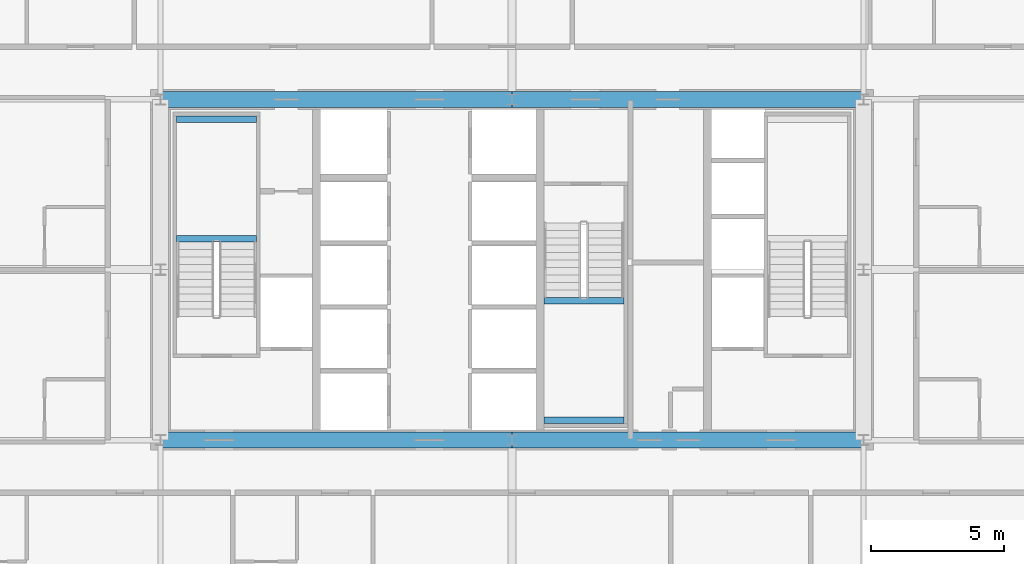
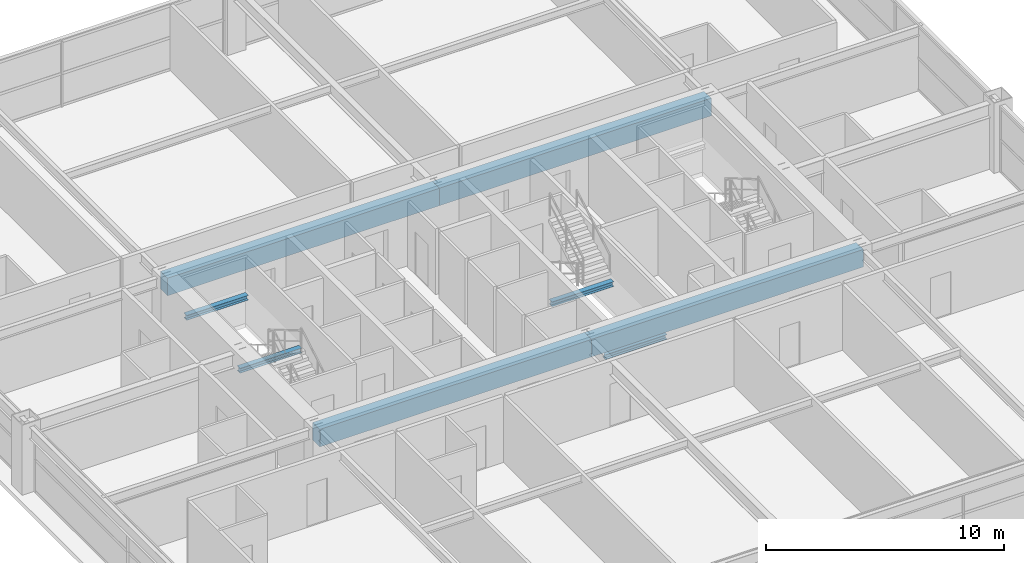
# One storey, part 13 of 39: 8 beams.
"""IFC4 building model written with IfcOpenShell, lengths in metres."""

from ifc_helpers import new_model, si_unit, direction, frame, origin, origin_2d, place, context, subcontext, project, spatial, rectangle, i_section, extrude, source, transform, mapped, material, material_profile, profile_set, type_object, element, save


model = new_model("IFC4")

# Units and contexts
model_context = context("Model", 3, precision=1e-05, world=origin(), true_north=direction((0.0, 1.0)))
body_context = subcontext(model_context, "Body", "Model", "MODEL_VIEW")
ifc_project = project(units=[si_unit("LENGTHUNIT", "METRE"), si_unit("AREAUNIT", "SQUARE_METRE"), si_unit("VOLUMEUNIT", "CUBIC_METRE"), si_unit("PLANEANGLEUNIT", "RADIAN"), si_unit("MASSUNIT", "GRAM", prefix="KILO"), si_unit("THERMODYNAMICTEMPERATUREUNIT", "KELVIN"), si_unit("POWERUNIT", "WATT")], contexts=[model_context])

# Site, building, storey
site_placement = place(None, origin())
site = spatial("IfcSite", under=ifc_project, at=site_placement, CompositionType="ELEMENT")
building_placement = place(site_placement, origin())
building = spatial("IfcBuilding", under=site, at=building_placement, Name="Yuzanri Waterfront Tower", CompositionType="ELEMENT")
storey_placement = place(building_placement, frame((0.0, 0.0, 134.39990234375)))
storey = spatial("IfcBuildingStorey", under=building, at=storey_placement, Name="L35", CompositionType="ELEMENT", Elevation=134.39990234375)

# Beams
ifc_material_1 = material(Name="Concrete C60", Category="concrete")
ifc_material_profile_1 = material_profile(ifc_material_1, rectangle(XDim=0.60009765625, YDim=0.89990234375, at=origin_2d()), Name="RC 600x900")
ifc_profile_set_1 = profile_set([ifc_material_profile_1], Name="Concrete C60")
beam_type_1 = type_object("IfcBeamType", Name="Core Coupling Lintel Concrete C60 600x900", PredefinedType="LINTEL", material=ifc_profile_set_1)
shared_shape_1 = source(origin(), body_context, "Body", "SweptSolid", [
    extrude(rectangle(XDim=0.60009765625, YDim=0.89990234375, at=origin_2d()), origin(), (0.0, 0.0, 1.0), 13.199951171875),
])
for number, where, z_axis, x_axis, name in (
    (1, (23.800048828125, 19.39990234375, 2.93017578125), (1.0, 0.0, 0.0), (0.0, 1.0, 0.0), "L35 Core Tie Beam CS1"),
    (2, (37.0, 19.39990234375, 2.93017578125), (1.0, 0.0, 0.0), (0.0, 1.0, 0.0), "L35 Core Tie Beam CS2"),
    (3, (23.800048828125, 32.199951171875, 2.93017578125), (1.0, 0.0, 0.0), (0.0, 1.0, 0.0), "L35 Core Tie Beam CN1"),
    (4, (37.0, 32.199951171875, 2.93017578125), (1.0, 0.0, 0.0), (0.0, 1.0, 0.0), "L35 Core Tie Beam CN2"),
):
    element("IfcBeam", number, at=place(storey_placement, frame(where, z_axis=z_axis, x_axis=x_axis)), inside=storey, type_object=beam_type_1, Name=name, PredefinedType="LINTEL", context=body_context, shape_type="MappedRepresentation", body=[
        mapped(shared_shape_1, transform((0.0, 0.0, 0.0), scale=1.0)),
    ])
ifc_material_2 = material(Name="Steel Q355B", Category="steel")
ifc_material_profile_2 = material_profile(ifc_material_2, i_section(OverallWidth=0.25, OverallDepth=0.25, WebThickness=0.009033203125, FlangeThickness=0.013916015625, at=origin_2d()), Name="HW 250x250x9x14")
ifc_profile_set_2 = profile_set([ifc_material_profile_2], Name="Steel Q355B")
beam_type_2 = type_object("IfcBeamType", Name="Stair Landing Support Beam Q355B HW 250x250", PredefinedType="BEAM", material=ifc_profile_set_2)
shared_shape_2 = source(origin(), body_context, "Body", "SweptSolid", [
    extrude(i_section(OverallWidth=0.25, OverallDepth=0.25, WebThickness=0.009033203125, FlangeThickness=0.013916015625, at=origin_2d()), origin(), (0.0, 0.0, 1.0), 3.0),
])
for number, where, z_axis, x_axis, name in (
    (5, (24.39990234375, 26.969970703125, 1.47509765625), (1.0, 0.0, 0.0), (0.0, 1.0, 0.0), "L35 Stair Landing Support Beam ST-01-L35-L1-1"),
    (6, (24.39990234375, 31.449951171875, 1.47509765625), (1.0, 0.0, 0.0), (0.0, 1.0, 0.0), "L35 Stair Landing Support Beam ST-01-L35-L1-2"),
    (7, (38.199951171875, 20.14990234375, 1.47509765625), (1.0, 0.0, 0.0), (0.0, 1.0, 0.0), "L35 Stair Landing Support Beam ST-03-L35-L1-1"),
    (8, (38.199951171875, 24.6298828125, 1.47509765625), (1.0, 0.0, 0.0), (0.0, 1.0, 0.0), "L35 Stair Landing Support Beam ST-03-L35-L1-2"),
):
    element("IfcBeam", number, at=place(storey_placement, frame(where, z_axis=z_axis, x_axis=x_axis)), inside=storey, type_object=beam_type_2, Name=name, PredefinedType="BEAM", context=body_context, shape_type="MappedRepresentation", body=[
        mapped(shared_shape_2, transform((0.0, 0.0, 0.0), scale=1.0)),
    ])

save(model, "model.ifc")
